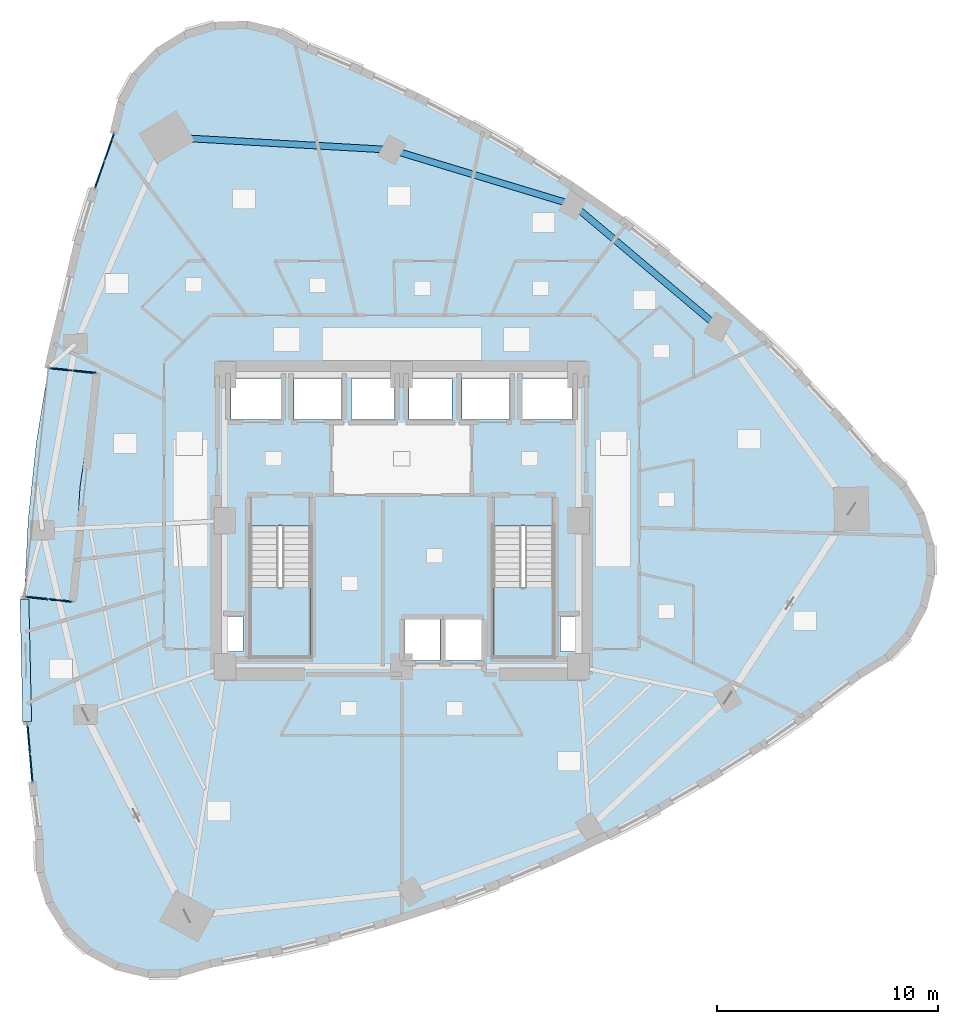
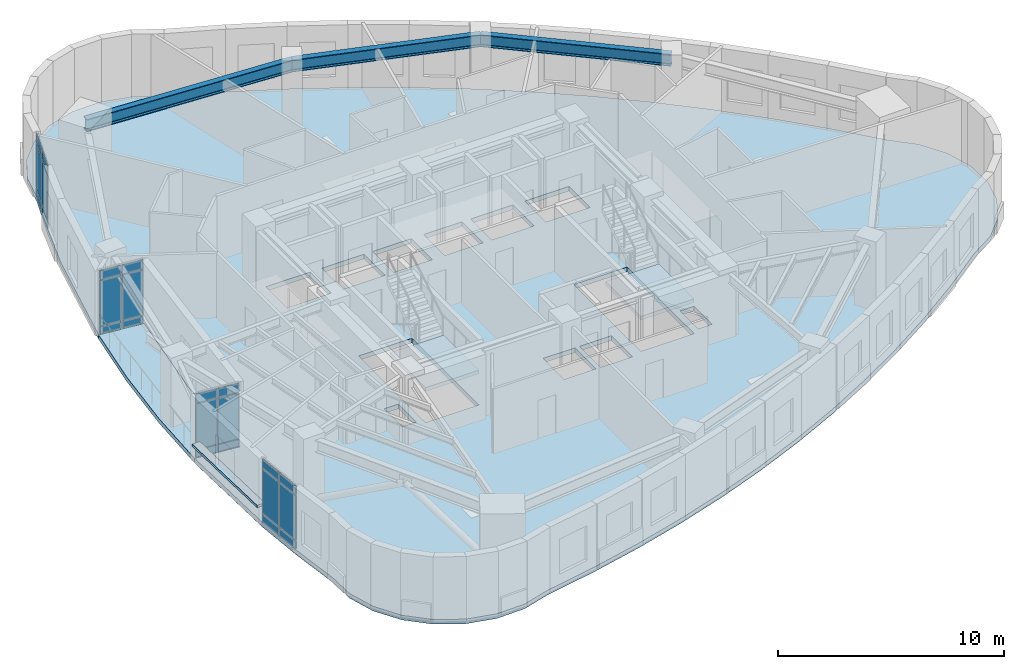
# One storey, part 8 of 16: 25 plates, 4 slabs, 3 beams, 6 elements without a shape of their own.
"""IFC4 building model written with IfcOpenShell, lengths in metres."""

from ifc_helpers import new_model, si_unit, direction, frame, origin, origin_2d, place, context, subcontext, project, spatial, polyline, rectangle, i_section, outline, extrude, material, layer, layer_set, material_profile, profile_set, type_object, element, aggregate, save


model = new_model("IFC4")

# Units and contexts
model_context = context("Model", 3, precision=1e-05, world=origin(), true_north=direction((0.0, 1.0)))
body_context = subcontext(model_context, "Body", "Model", "MODEL_VIEW")
ifc_project = project(units=[si_unit("LENGTHUNIT", "METRE"), si_unit("AREAUNIT", "SQUARE_METRE"), si_unit("VOLUMEUNIT", "CUBIC_METRE"), si_unit("PLANEANGLEUNIT", "RADIAN"), si_unit("MASSUNIT", "GRAM", prefix="KILO")], contexts=[model_context])

# Site, building, storey
site_placement = place(None, origin())
site = spatial("IfcSite", under=ifc_project, at=site_placement, CompositionType="ELEMENT")
building_placement = place(site_placement, origin())
building = spatial("IfcBuilding", under=site, at=building_placement, Name="Ndelora Gate Hotel", CompositionType="ELEMENT")
storey_placement = place(building_placement, frame((0.0, 0.0, 97.25)))
storey = spatial("IfcBuildingStorey", under=building, at=storey_placement, Name="L23", CompositionType="ELEMENT", Elevation=97.25)

# Beams
ifc_material_1 = material(Name="Steel S355", Category="steel")
ifc_material_profile = material_profile(ifc_material_1, i_section(OverallWidth=0.300048828125, OverallDepth=0.64990234375, WebThickness=0.01611328125, FlangeThickness=0.031005859375, FilletRadius=0.027099609375, at=origin_2d()), Name="HEB 650")
ifc_profile_set = profile_set([ifc_material_profile], Name="Steel S355")
beam_type = type_object("IfcBeamType", Name="BM-RING-650", PredefinedType="SPANDREL", material=ifc_profile_set)
beam_1_placement = place(storey_placement, frame((14.30712890625, 8.767333984375, 3.175048828125), z_axis=(-0.76440691948, 0.644734101356, 0.0), x_axis=(-0.644734101356, -0.76440691948, 0.0)))
element("IfcBeam", 1, at=beam_1_placement, inside=storey, type_object=beam_type, Name="L23 Perimeter Spandrel Girder 10", PredefinedType="SPANDREL", context=body_context, shape_type="SweptSolid", body=[
    extrude(i_section(OverallWidth=0.300048828125, OverallDepth=0.64990234375, WebThickness=0.01611328125, FlangeThickness=0.031005859375, FilletRadius=0.027099609375, at=origin_2d()), origin(), (0.0, 0.0, 1.0), 8.566162109375),
])
beam_2_placement = place(storey_placement, frame((7.759033203125, 14.290283203125, 3.175048828125), z_axis=(-0.957030396662, 0.289987620192, 0.0), x_axis=(-0.289987620192, -0.957030396662, 0.0)))
element("IfcBeam", 2, at=beam_2_placement, inside=storey, type_object=beam_type, Name="L23 Perimeter Spandrel Girder 11", PredefinedType="SPANDREL", context=body_context, shape_type="SweptSolid", body=[
    extrude(i_section(OverallWidth=0.300048828125, OverallDepth=0.64990234375, WebThickness=0.01611328125, FlangeThickness=0.031005859375, FilletRadius=0.027099609375, at=origin_2d()), origin(), (0.0, 0.0, 1.0), 8.56640625),
])
beam_3_placement = place(storey_placement, frame((-0.439208984375, 16.7744140625, 3.175048828125), z_axis=(-0.998399808671, 0.056549288648, 0.0), x_axis=(-0.056549288648, -0.998399808671, 0.0)))
element("IfcBeam", 3, at=beam_3_placement, inside=storey, type_object=beam_type, Name="L23 Perimeter Spandrel Girder 12", PredefinedType="SPANDREL", context=body_context, shape_type="SweptSolid", body=[
    extrude(i_section(OverallWidth=0.300048828125, OverallDepth=0.64990234375, WebThickness=0.01611328125, FlangeThickness=0.031005859375, FilletRadius=0.027099609375, at=origin_2d()), origin(), (0.0, 0.0, 1.0), 10.21044921875),
])

# Curtain wall, plates
ifc_material_2 = material(Name="Bronze Anodised Unitised Aluminium and Low-E Glass", Category="aluminium")
ifc_layer_1 = layer(ifc_material_2, 0.199951171875)
ifc_layer_set_1 = layer_set([ifc_layer_1], Name="Bronze Anodised Unitised Aluminium and Low-E Glass")
curtain_wall_type_1 = type_object("IfcCurtainWallType", Name="CW-SYS-3", PredefinedType="NOTDEFINED", material=ifc_layer_set_1)
curtain_wall_1_placement = place(storey_placement, origin())
curtain_wall_1 = element("IfcCurtainWall", 4, at=curtain_wall_1_placement, inside=storey, type_object=curtain_wall_type_1, Name="L23 Sky-Garden Loggia Side Curtain Wall CW3-1", PredefinedType="NOTDEFINED")
ifc_material_3 = material(Name="Solar-Control Low-E Insulated Glazing", Category="glass")
ifc_layer_2 = layer(ifc_material_3, 0.048095703125)
ifc_layer_set_2 = layer_set([ifc_layer_2], Name="Solar-Control Low-E Insulated Glazing")
plate_type_1 = type_object("IfcPlateType", Name="PL-CW-GLZ36", PredefinedType="CURTAIN_PANEL", material=ifc_layer_set_2)
plate_1_placement = place(storey_placement, frame((-14.356201171875, 6.737548828125, 0.05908203125), z_axis=(0.0, 0.0, 1.0), x_axis=(-0.994524614789, 0.10450258647, 0.0)))
plate_1 = element("IfcPlate", 5, at=plate_1_placement, type_object=plate_type_1, Name="CW3 panel 1.1", PredefinedType="CURTAIN_PANEL", context=body_context, shape_type="SweptSolid", body=[
    extrude(rectangle(XDim=1.014404296875, YDim=0.048095703125, at=origin_2d()), origin(), (0.0, 0.0, 1.0), 0.364501953125),
])
plate_2_placement = place(storey_placement, frame((-14.356201171875, 6.737548828125, 0.4765625), z_axis=(0.0, 0.0, 1.0), x_axis=(-0.994524614789, 0.10450258647, 0.0)))
plate_2 = element("IfcPlate", 6, at=plate_2_placement, type_object=plate_type_1, Name="CW3 panel 1.2", PredefinedType="CURTAIN_PANEL", context=body_context, shape_type="SweptSolid", body=[
    extrude(rectangle(XDim=1.014404296875, YDim=0.048095703125, at=origin_2d()), origin(), (0.0, 0.0, 1.0), 2.447021484375),
])
plate_3_placement = place(storey_placement, frame((-14.356201171875, 6.737548828125, 2.9765625), z_axis=(0.0, 0.0, 1.0), x_axis=(-0.994524614789, 0.10450258647, 0.0)))
plate_3 = element("IfcPlate", 7, at=plate_3_placement, type_object=plate_type_1, Name="CW3 panel 1.3", PredefinedType="CURTAIN_PANEL", context=body_context, shape_type="SweptSolid", body=[
    extrude(rectangle(XDim=1.014404296875, YDim=0.048095703125, at=origin_2d()), origin(), (0.0, 0.0, 1.0), 0.464599609375),
])
plate_4_placement = place(storey_placement, frame((-15.41796875, 6.84912109375, 0.05908203125), z_axis=(0.0, 0.0, 1.0), x_axis=(-0.994524614789, 0.10450258647, 0.0)))
plate_4 = element("IfcPlate", 8, at=plate_4_placement, type_object=plate_type_1, Name="CW3 panel 2.1", PredefinedType="CURTAIN_PANEL", context=body_context, shape_type="SweptSolid", body=[
    extrude(rectangle(XDim=1.014404296875, YDim=0.048095703125, at=origin_2d()), origin(), (0.0, 0.0, 1.0), 0.364501953125),
])
plate_5_placement = place(storey_placement, frame((-15.41796875, 6.84912109375, 0.4765625), z_axis=(0.0, 0.0, 1.0), x_axis=(-0.994524614789, 0.10450258647, 0.0)))
plate_5 = element("IfcPlate", 9, at=plate_5_placement, type_object=plate_type_1, Name="CW3 panel 2.2", PredefinedType="CURTAIN_PANEL", context=body_context, shape_type="SweptSolid", body=[
    extrude(rectangle(XDim=1.014404296875, YDim=0.048095703125, at=origin_2d()), origin(), (0.0, 0.0, 1.0), 2.447021484375),
])
plate_6_placement = place(storey_placement, frame((-15.41796875, 6.84912109375, 2.9765625), z_axis=(0.0, 0.0, 1.0), x_axis=(-0.994524614789, 0.10450258647, 0.0)))
plate_6 = element("IfcPlate", 10, at=plate_6_placement, type_object=plate_type_1, Name="CW3 panel 2.3", PredefinedType="CURTAIN_PANEL", context=body_context, shape_type="SweptSolid", body=[
    extrude(rectangle(XDim=1.014404296875, YDim=0.048095703125, at=origin_2d()), origin(), (0.0, 0.0, 1.0), 0.464599609375),
])
aggregate(curtain_wall_1, [plate_1, plate_2, plate_3, plate_4, plate_5, plate_6])

curtain_wall_2_placement = place(storey_placement, origin())
curtain_wall_2 = element("IfcCurtainWall", 11, at=curtain_wall_2_placement, inside=storey, type_object=curtain_wall_type_1, Name="L23 Sky-Garden Loggia Side Curtain Wall CW3-2", PredefinedType="NOTDEFINED")
plate_7_placement = place(storey_placement, frame((-16.5048828125, -3.493896484375, 0.05908203125), z_axis=(0.0, 0.0, 1.0), x_axis=(0.994519889569, -0.104547545416, 0.0)))
plate_7 = element("IfcPlate", 12, at=plate_7_placement, type_object=plate_type_1, Name="CW3 panel 1.1", PredefinedType="CURTAIN_PANEL", context=body_context, shape_type="SweptSolid", body=[
    extrude(rectangle(XDim=1.014404296875, YDim=0.048095703125, at=origin_2d()), origin(), (0.0, 0.0, 1.0), 0.364501953125),
])
plate_8_placement = place(storey_placement, frame((-16.5048828125, -3.493896484375, 0.4765625), z_axis=(0.0, 0.0, 1.0), x_axis=(0.994519889569, -0.104547545416, 0.0)))
plate_8 = element("IfcPlate", 13, at=plate_8_placement, type_object=plate_type_1, Name="CW3 panel 1.2", PredefinedType="CURTAIN_PANEL", context=body_context, shape_type="SweptSolid", body=[
    extrude(rectangle(XDim=1.014404296875, YDim=0.048095703125, at=origin_2d()), origin(), (0.0, 0.0, 1.0), 2.447021484375),
])
plate_9_placement = place(storey_placement, frame((-16.5048828125, -3.493896484375, 2.9765625), z_axis=(0.0, 0.0, 1.0), x_axis=(0.994519889569, -0.104547545416, 0.0)))
plate_9 = element("IfcPlate", 14, at=plate_9_placement, type_object=plate_type_1, Name="CW3 panel 1.3", PredefinedType="CURTAIN_PANEL", context=body_context, shape_type="SweptSolid", body=[
    extrude(rectangle(XDim=1.014404296875, YDim=0.048095703125, at=origin_2d()), origin(), (0.0, 0.0, 1.0), 0.464599609375),
])
plate_10_placement = place(storey_placement, frame((-15.443359375, -3.60546875, 0.05908203125), z_axis=(0.0, 0.0, 1.0), x_axis=(0.994519889569, -0.104547545416, 0.0)))
plate_10 = element("IfcPlate", 15, at=plate_10_placement, type_object=plate_type_1, Name="CW3 panel 2.1", PredefinedType="CURTAIN_PANEL", context=body_context, shape_type="SweptSolid", body=[
    extrude(rectangle(XDim=1.014404296875, YDim=0.048095703125, at=origin_2d()), origin(), (0.0, 0.0, 1.0), 0.364501953125),
])
plate_11_placement = place(storey_placement, frame((-15.443359375, -3.60546875, 0.4765625), z_axis=(0.0, 0.0, 1.0), x_axis=(0.994519889569, -0.104547545416, 0.0)))
plate_11 = element("IfcPlate", 16, at=plate_11_placement, type_object=plate_type_1, Name="CW3 panel 2.2", PredefinedType="CURTAIN_PANEL", context=body_context, shape_type="SweptSolid", body=[
    extrude(rectangle(XDim=1.014404296875, YDim=0.048095703125, at=origin_2d()), origin(), (0.0, 0.0, 1.0), 2.447021484375),
])
plate_12_placement = place(storey_placement, frame((-15.443359375, -3.60546875, 2.9765625), z_axis=(0.0, 0.0, 1.0), x_axis=(0.994519889569, -0.104547545416, 0.0)))
plate_12 = element("IfcPlate", 17, at=plate_12_placement, type_object=plate_type_1, Name="CW3 panel 2.3", PredefinedType="CURTAIN_PANEL", context=body_context, shape_type="SweptSolid", body=[
    extrude(rectangle(XDim=1.014404296875, YDim=0.048095703125, at=origin_2d()), origin(), (0.0, 0.0, 1.0), 0.464599609375),
])
aggregate(curtain_wall_2, [plate_7, plate_8, plate_9, plate_10, plate_11, plate_12])

ifc_layer_3 = layer(ifc_material_2, 0.2099609375)
ifc_layer_set_3 = layer_set([ifc_layer_3], Name="Bronze Anodised Unitised Aluminium and Low-E Glass")
curtain_wall_type_2 = type_object("IfcCurtainWallType", Name="CW-SYS-4", PredefinedType="NOTDEFINED", material=ifc_layer_set_3)
curtain_wall_3_placement = place(storey_placement, origin())
curtain_wall_3 = element("IfcCurtainWall", 18, at=curtain_wall_3_placement, inside=storey, type_object=curtain_wall_type_2, Name="L23 Lower Sky-Lobby & Highland Spa Curtain Wall 1", PredefinedType="NOTDEFINED")
plate_13_placement = place(storey_placement, frame((-13.23828125, 16.901123046875, 0.05908203125), z_axis=(0.0, 0.0, 1.0), x_axis=(-0.329007989822, -0.944327137508, 0.0)))
plate_13 = element("IfcPlate", 19, at=plate_13_placement, type_object=plate_type_1, Name="CW4 panel 1.1", PredefinedType="CURTAIN_PANEL", context=body_context, shape_type="SweptSolid", body=[
    extrude(rectangle(XDim=1.25537109375, YDim=0.048095703125, at=origin_2d()), origin(), (0.0, 0.0, 1.0), 0.41455078125),
])
plate_14_placement = place(storey_placement, frame((-13.23828125, 16.901123046875, 0.526611328125), z_axis=(0.0, 0.0, 1.0), x_axis=(-0.329007989822, -0.944327137508, 0.0)))
plate_14 = element("IfcPlate", 20, at=plate_14_placement, type_object=plate_type_1, Name="CW4 panel 1.2", PredefinedType="CURTAIN_PANEL", context=body_context, shape_type="SweptSolid", body=[
    extrude(rectangle(XDim=1.25537109375, YDim=0.048095703125, at=origin_2d()), origin(), (0.0, 0.0, 1.0), 2.39697265625),
])
plate_15_placement = place(storey_placement, frame((-13.23828125, 16.901123046875, 2.9765625), z_axis=(0.0, 0.0, 1.0), x_axis=(-0.329007989822, -0.944327137508, 0.0)))
plate_15 = element("IfcPlate", 21, at=plate_15_placement, type_object=plate_type_1, Name="CW4 panel 1.3", PredefinedType="CURTAIN_PANEL", context=body_context, shape_type="SweptSolid", body=[
    extrude(rectangle(XDim=1.25537109375, YDim=0.048095703125, at=origin_2d()), origin(), (0.0, 0.0, 1.0), 0.464599609375),
])
plate_16_placement = place(storey_placement, frame((-13.668701171875, 15.66552734375, 0.05908203125), z_axis=(0.0, 0.0, 1.0), x_axis=(-0.329007989822, -0.944327137508, 0.0)))
plate_16 = element("IfcPlate", 22, at=plate_16_placement, type_object=plate_type_1, Name="CW4 panel 2.1", PredefinedType="CURTAIN_PANEL", context=body_context, shape_type="SweptSolid", body=[
    extrude(rectangle(XDim=1.25537109375, YDim=0.048095703125, at=origin_2d()), origin(), (0.0, 0.0, 1.0), 0.41455078125),
])
plate_17_placement = place(storey_placement, frame((-13.668701171875, 15.66552734375, 0.526611328125), z_axis=(0.0, 0.0, 1.0), x_axis=(-0.329007989822, -0.944327137508, 0.0)))
plate_17 = element("IfcPlate", 23, at=plate_17_placement, type_object=plate_type_1, Name="CW4 panel 2.2", PredefinedType="CURTAIN_PANEL", context=body_context, shape_type="SweptSolid", body=[
    extrude(rectangle(XDim=1.25537109375, YDim=0.048095703125, at=origin_2d()), origin(), (0.0, 0.0, 1.0), 2.39697265625),
])
plate_18_placement = place(storey_placement, frame((-13.668701171875, 15.66552734375, 2.9765625), z_axis=(0.0, 0.0, 1.0), x_axis=(-0.329007989822, -0.944327137508, 0.0)))
plate_18 = element("IfcPlate", 24, at=plate_18_placement, type_object=plate_type_1, Name="CW4 panel 2.3", PredefinedType="CURTAIN_PANEL", context=body_context, shape_type="SweptSolid", body=[
    extrude(rectangle(XDim=1.25537109375, YDim=0.048095703125, at=origin_2d()), origin(), (0.0, 0.0, 1.0), 0.464599609375),
])
aggregate(curtain_wall_3, [plate_13, plate_14, plate_15, plate_16, plate_17, plate_18])

curtain_wall_4_placement = place(storey_placement, origin())
curtain_wall_4 = element("IfcCurtainWall", 25, at=curtain_wall_4_placement, inside=storey, type_object=curtain_wall_type_2, Name="L23 Lower Sky-Lobby & Highland Spa Curtain Wall 2", PredefinedType="NOTDEFINED")
plate_19_placement = place(storey_placement, frame((-16.88037109375, -9.868896484375, 0.05908203125), z_axis=(0.0, 0.0, 1.0), x_axis=(0.086666933668, -0.996237342509, 0.0)))
plate_19 = element("IfcPlate", 26, at=plate_19_placement, type_object=plate_type_1, Name="CW4 panel 1.1", PredefinedType="CURTAIN_PANEL", context=body_context, shape_type="SweptSolid", body=[
    extrude(rectangle(XDim=1.244384765625, YDim=0.048095703125, at=origin_2d()), origin(), (0.0, 0.0, 1.0), 0.41455078125),
])
plate_20_placement = place(storey_placement, frame((-16.88037109375, -9.868896484375, 0.526611328125), z_axis=(0.0, 0.0, 1.0), x_axis=(0.086666933668, -0.996237342509, 0.0)))
plate_20 = element("IfcPlate", 27, at=plate_20_placement, type_object=plate_type_1, Name="CW4 panel 1.2", PredefinedType="CURTAIN_PANEL", context=body_context, shape_type="SweptSolid", body=[
    extrude(rectangle(XDim=1.244384765625, YDim=0.048095703125, at=origin_2d()), origin(), (0.0, 0.0, 1.0), 2.39697265625),
])
plate_21_placement = place(storey_placement, frame((-16.88037109375, -9.868896484375, 2.9765625), z_axis=(0.0, 0.0, 1.0), x_axis=(0.086666933668, -0.996237342509, 0.0)))
plate_21 = element("IfcPlate", 28, at=plate_21_placement, type_object=plate_type_1, Name="CW4 panel 1.3", PredefinedType="CURTAIN_PANEL", context=body_context, shape_type="SweptSolid", body=[
    extrude(rectangle(XDim=1.244384765625, YDim=0.048095703125, at=origin_2d()), origin(), (0.0, 0.0, 1.0), 0.464599609375),
])
plate_22_placement = place(storey_placement, frame((-16.76806640625, -11.1611328125, 0.05908203125), z_axis=(0.0, 0.0, 1.0), x_axis=(0.086666933668, -0.996237342509, 0.0)))
plate_22 = element("IfcPlate", 29, at=plate_22_placement, type_object=plate_type_1, Name="CW4 panel 2.1", PredefinedType="CURTAIN_PANEL", context=body_context, shape_type="SweptSolid", body=[
    extrude(rectangle(XDim=1.244384765625, YDim=0.048095703125, at=origin_2d()), origin(), (0.0, 0.0, 1.0), 0.41455078125),
])
plate_23_placement = place(storey_placement, frame((-16.76806640625, -11.1611328125, 0.526611328125), z_axis=(0.0, 0.0, 1.0), x_axis=(0.086666933668, -0.996237342509, 0.0)))
plate_23 = element("IfcPlate", 30, at=plate_23_placement, type_object=plate_type_1, Name="CW4 panel 2.2", PredefinedType="CURTAIN_PANEL", context=body_context, shape_type="SweptSolid", body=[
    extrude(rectangle(XDim=1.244384765625, YDim=0.048095703125, at=origin_2d()), origin(), (0.0, 0.0, 1.0), 2.39697265625),
])
plate_24_placement = place(storey_placement, frame((-16.76806640625, -11.1611328125, 2.9765625), z_axis=(0.0, 0.0, 1.0), x_axis=(0.086666933668, -0.996237342509, 0.0)))
plate_24 = element("IfcPlate", 31, at=plate_24_placement, type_object=plate_type_1, Name="CW4 panel 2.3", PredefinedType="CURTAIN_PANEL", context=body_context, shape_type="SweptSolid", body=[
    extrude(rectangle(XDim=1.244384765625, YDim=0.048095703125, at=origin_2d()), origin(), (0.0, 0.0, 1.0), 0.464599609375),
])
aggregate(curtain_wall_4, [plate_19, plate_20, plate_21, plate_22, plate_23, plate_24])

# Plate
ifc_material_4 = material(Name="Precast concrete C40/50", Category="concrete")
ifc_layer_4 = layer(ifc_material_4, 0.125)
ifc_layer_set_4 = layer_set([ifc_layer_4], Name="Precast concrete C40/50")
plate_type_2 = type_object("IfcPlateType", Name="PL-SILL-120", PredefinedType="USERDEFINED", material=ifc_layer_set_4)
plate_25_placement = place(storey_placement, frame((-17.0029296875, -6.322509765625, 0.78759765625), z_axis=(0.0, 0.0, 1.0), x_axis=(-0.022512845226, 0.999746553782, 0.0)))
element("IfcPlate", 32, at=plate_25_placement, inside=storey, type_object=plate_type_2, Name="L23 Streamline Precast Ribbon Sill 16", ObjectType="RIBBON_SILL", PredefinedType="USERDEFINED", context=body_context, shape_type="SweptSolid", body=[
    extrude(rectangle(XDim=5.527099609375, YDim=0.39990234375, at=origin_2d()), origin(), (0.0, 0.0, 1.0), 0.125),
])

# Stair, slab
stair_type = type_object("IfcStairType", Name="STR-DOG-CORE", PredefinedType="HALF_TURN_STAIR", material=ifc_material_4)
stair_1_placement = place(storey_placement, origin())
stair_1 = element("IfcStair", 33, at=stair_1_placement, inside=storey, type_object=stair_type, Name="L23 Protected Core Exit Stair ST4", PredefinedType="HALF_TURN_STAIR")
ifc_layer_5 = layer(ifc_material_4, 0.219970703125)
ifc_layer_set_5 = layer_set([ifc_layer_5], Name="Precast concrete C40/50")
slab_type_1 = type_object("IfcSlabType", Name="SL-LAND-220", PredefinedType="LANDING", material=ifc_layer_set_5)
slab_1_placement = place(storey_placement, frame((0.0, 0.0, 1.675048828125)))
slab_1 = element("IfcSlab", 34, at=slab_1_placement, type_object=slab_type_1, Name="ST4 landing 1", PredefinedType="LANDING", context=body_context, shape_type="SweptSolid", body=[
    extrude(outline(polyline([(-6.85009765625, -3.030029296875), (-6.85009765625, -6.14990234375), (-4.1298828125, -6.14990234375), (-4.1298828125, -3.030029296875), (-6.85009765625, -3.030029296875)])), origin(), (0.0, 0.0, 1.0), 0.199951171875),
])
aggregate(stair_1, [slab_1])

stair_2_placement = place(storey_placement, origin())
stair_2 = element("IfcStair", 35, at=stair_2_placement, inside=storey, type_object=stair_type, Name="L23 Protected Core Exit Stair ST5", PredefinedType="HALF_TURN_STAIR")
slab_2_placement = place(storey_placement, frame((0.0, 0.0, 1.675048828125)))
slab_2 = element("IfcSlab", 36, at=slab_2_placement, type_object=slab_type_1, Name="ST5 landing 1", PredefinedType="LANDING", context=body_context, shape_type="SweptSolid", body=[
    extrude(outline(polyline([(4.1298828125, -3.030029296875), (4.1298828125, -6.14990234375), (6.85009765625, -6.14990234375), (6.85009765625, -3.030029296875), (4.1298828125, -3.030029296875)])), origin(), (0.0, 0.0, 1.0), 0.199951171875),
])
aggregate(stair_2, [slab_2])

# Slabs
ifc_layer_6 = layer(ifc_material_4, 0.239990234375)
ifc_layer_set_6 = layer_set([ifc_layer_6], Name="Precast concrete C40/50")
slab_type_2 = type_object("IfcSlabType", Name="SL-TER-240", PredefinedType="FLOOR", material=ifc_layer_set_6)
slab_3_placement = place(storey_placement, frame((0.0, 0.0, -0.239990234375)))
element("IfcSlab", 37, at=slab_3_placement, inside=storey, type_object=slab_type_2, Name="L23 Sky Garden Loggia Terrace Slab", PredefinedType="FLOOR", context=body_context, shape_type="SweptSolid", body=[
    extrude(outline(polyline([(-13.793212890625, 6.678466796875), (-15.98095703125, 6.908203125), (-16.528564453125, 3.514892578125), (-16.898193359375, -0.001708984375), (-17.068115234375, -3.434814453125), (-14.880126953125, -3.664794921875), (-14.550048828125, 1.529296875), (-13.793212890625, 6.678466796875)])), origin(), (0.0, 0.0, 1.0), 0.239990234375),
])
ifc_material_5 = material(Name="Concrete C40/50", Category="concrete")
ifc_layer_7 = layer(ifc_material_5, 0.25)
ifc_layer_set_7 = layer_set([ifc_layer_7], Name="Concrete C40/50")
slab_type_3 = type_object("IfcSlabType", Name="SL-TWR-250", PredefinedType="FLOOR", material=ifc_layer_set_7)
slab_4_placement = place(storey_placement, frame((0.0, 0.0, -0.25)))
element("IfcSlab", 38, at=slab_4_placement, inside=storey, type_object=slab_type_3, Name="L23 Structural Floor Slab", PredefinedType="FLOOR", context=body_context, shape_type="SweptSolid", body=[
    extrude(outline(polyline([(-4.31640625, 21.4052734375), (-5.578125, 22.09033203125), (-6.974365234375, 22.425537109375), (-8.40966796875, 22.387939453125), (-9.7861328125, 21.980224609375), (-11.010498046875, 21.22998046875), (-11.998779296875, 20.1884765625), (-12.683837890625, 18.9267578125), (-13.01904296875, 17.530517578125), (-13.88818359375, 15.035888671875), (-14.652587890625, 12.530517578125), (-15.98095703125, 6.908203125), (-13.793212890625, 6.678466796875), (-14.550048828125, 1.529296875), (-14.880126953125, -3.664794921875), (-17.068115234375, -3.434814453125), (-16.937744140625, -9.210205078125), (-16.710693359375, -11.81982421875), (-16.37939453125, -14.440673828125), (-16.341796875, -15.8759765625), (-15.93408203125, -17.252685546875), (-15.183837890625, -18.476806640625), (-14.142333984375, -19.465087890625), (-12.880615234375, -20.150390625), (-11.484375, -20.485595703125), (-10.049072265625, -20.447998046875), (-8.67236328125, -20.0400390625), (-5.97021484375, -19.522705078125), (-3.314453125, -18.9013671875), (-0.705078125, -18.17578125), (1.858154296875, -17.34619140625), (4.375, -16.41259765625), (6.845458984375, -15.375), (9.26953125, -14.2333984375), (11.6474609375, -12.98779296875), (13.97900390625, -11.637939453125), (16.26416015625, -10.184326171875), (18.503173828125, -8.62646484375), (20.69580078125, -6.964599609375), (21.919921875, -6.21435546875), (22.908203125, -5.1728515625), (23.593505859375, -3.9111328125), (23.928466796875, -2.514892578125), (23.890869140625, -1.07958984375), (23.483154296875, 0.297119140625), (22.73291015625, 1.521240234375), (21.69140625, 2.509521484375), (19.892333984375, 4.5908203125), (18.0263671875, 6.580078125), (16.09326171875, 8.477294921875), (14.09326171875, 10.2822265625), (12.0263671875, 11.9951171875), (9.892578125, 13.615966796875), (7.691650390625, 15.14453125), (5.424072265625, 16.580810546875), (3.08935546875, 17.92529296875), (0.687744140625, 19.177490234375), (-1.78076171875, 20.33740234375), (-4.31640625, 21.4052734375)]), holes=[polyline([(-6.85009765625, -0.22998046875), (-6.85009765625, -6.14990234375), (-4.1298828125, -6.14990234375), (-4.1298828125, -0.22998046875), (-6.85009765625, -0.22998046875)]), polyline([(4.1298828125, -0.22998046875), (4.1298828125, -6.14990234375), (6.85009765625, -6.14990234375), (6.85009765625, -0.22998046875), (4.1298828125, -0.22998046875)]), polyline([(-7.72998046875, 4.570068359375), (-5.469970703125, 4.570068359375), (-5.469970703125, 6.429931640625), (-7.72998046875, 6.429931640625), (-7.72998046875, 4.570068359375)]), polyline([(5.469970703125, 4.570068359375), (7.72998046875, 4.570068359375), (7.72998046875, 6.429931640625), (5.469970703125, 6.429931640625), (5.469970703125, 4.570068359375)]), polyline([(-4.8798828125, 4.570068359375), (-2.719970703125, 4.570068359375), (-2.719970703125, 6.429931640625), (-4.8798828125, 6.429931640625), (-4.8798828125, 4.570068359375)]), polyline([(2.719970703125, 4.570068359375), (4.8798828125, 4.570068359375), (4.8798828125, 6.429931640625), (2.719970703125, 6.429931640625), (2.719970703125, 4.570068359375)]), polyline([(0.1201171875, -6.330078125), (1.739990234375, -6.330078125), (1.739990234375, -4.469970703125), (0.1201171875, -4.469970703125), (0.1201171875, -6.330078125)]), polyline([(1.97998046875, -6.330078125), (3.60009765625, -6.330078125), (3.60009765625, -4.469970703125), (1.97998046875, -4.469970703125), (1.97998046875, -6.330078125)]), polyline([(-2.280029296875, 4.570068359375), (-0.320068359375, 4.570068359375), (-0.320068359375, 6.429931640625), (-2.280029296875, 6.429931640625), (-2.280029296875, 4.570068359375)]), polyline([(0.320068359375, 4.570068359375), (2.280029296875, 4.570068359375), (2.280029296875, 6.429931640625), (0.320068359375, 6.429931640625), (0.320068359375, 4.570068359375)]), polyline([(-7.89990234375, -5.919921875), (-7.179931640625, -5.919921875), (-7.179931640625, -4.320068359375), (-7.89990234375, -4.320068359375), (-7.89990234375, -5.919921875)]), polyline([(7.179931640625, -5.919921875), (7.89990234375, -5.919921875), (7.89990234375, -4.320068359375), (7.179931640625, -4.320068359375), (7.179931640625, -5.919921875)])]), origin(), (0.0, 0.0, 1.0), 0.25),
])

save(model, "model.ifc")
